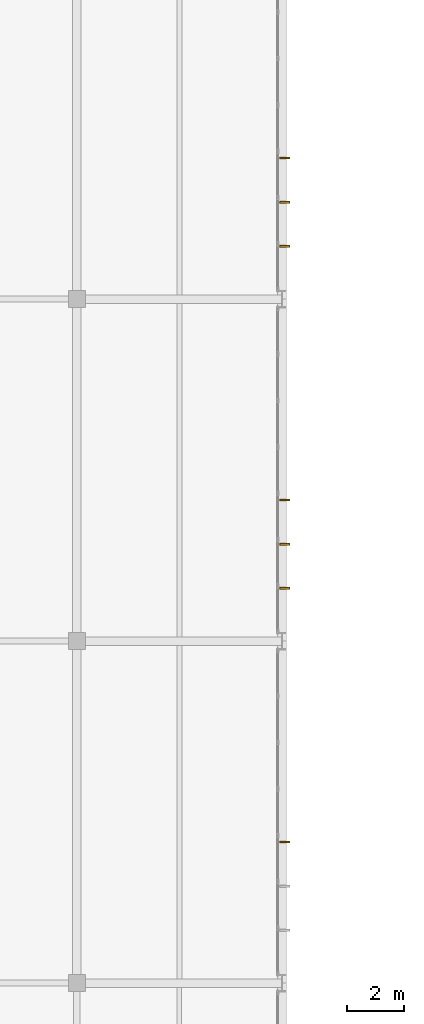
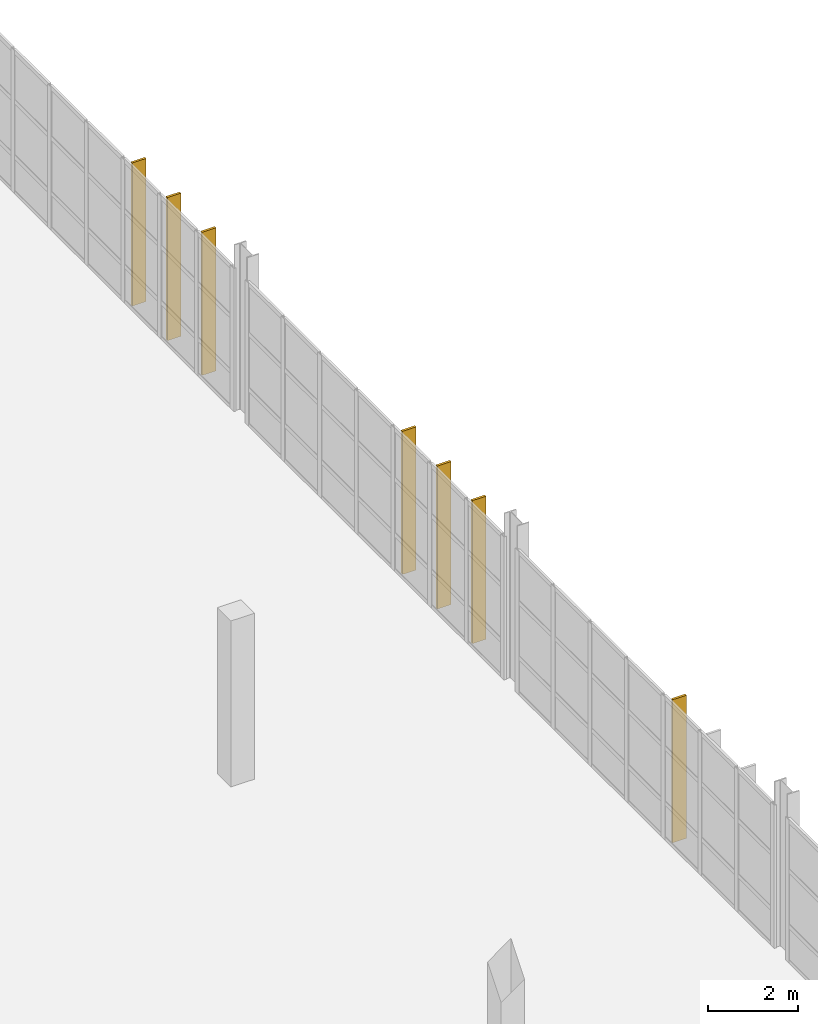
# One storey, part 130 of 130: 7 shading devices.
"""IFC4 building model written with IfcOpenShell, lengths in metres."""

from ifc_helpers import new_model, si_unit, direction, frame, origin, origin_2d, place, context, subcontext, project, spatial, rectangle, extrude, material, type_object, element, save


model = new_model("IFC4")

# Units and contexts
model_context = context("Model", 3, precision=1e-05, world=origin(), true_north=direction((0.0, 1.0)))
body_context = subcontext(model_context, "Body", "Model", "MODEL_VIEW")
ifc_project = project(units=[si_unit("LENGTHUNIT", "METRE"), si_unit("AREAUNIT", "SQUARE_METRE"), si_unit("VOLUMEUNIT", "CUBIC_METRE"), si_unit("PLANEANGLEUNIT", "RADIAN"), si_unit("MASSUNIT", "GRAM", prefix="KILO")], contexts=[model_context])

# Site, building, storey
site_placement = place(None, origin())
site = spatial("IfcSite", under=ifc_project, at=site_placement, CompositionType="ELEMENT")
building_placement = place(site_placement, origin())
building = spatial("IfcBuilding", under=site, at=building_placement, Name="Veltarok Museum of Natural Sciences", CompositionType="ELEMENT")
storey_placement = place(building_placement, frame((0.0, 0.0, 12.89990234375)))
storey = spatial("IfcBuildingStorey", under=building, at=storey_placement, Name="L02", CompositionType="ELEMENT", Elevation=12.89990234375)

# Shading devices
ifc_material = material(Name="Thermally broken anodised aluminium", Category="aluminium")
shading_device_type = type_object("IfcShadingDeviceType", Name="Vertical Anodised Aluminium Solar Shading Fin 350", PredefinedType="JALOUSIE", material=ifc_material)
for number, where, z_axis, x_axis, name in (
    (1, (164.889892578125, 40.949951171875, 0.000244140625), (0.0, 0.0, 1.0), (1.0, 0.0, 0.0), "Solar Shading Fin L02 45"),
    (2, (164.889892578125, 49.85009765625, 0.000244140625), (0.0, 0.0, 1.0), (1.0, 0.0, 0.0), "Solar Shading Fin L02 46"),
    (3, (164.889892578125, 51.39990234375, 0.000244140625), (0.0, 0.0, 1.0), (1.0, 0.0, 0.0), "Solar Shading Fin L02 47"),
    (4, (164.889892578125, 52.949951171875, 0.000244140625), (0.0, 0.0, 1.0), (1.0, 0.0, 0.0), "Solar Shading Fin L02 48"),
    (5, (164.889892578125, 61.85009765625, 0.000244140625), (0.0, 0.0, 1.0), (1.0, 0.0, 0.0), "Solar Shading Fin L02 49"),
    (6, (164.889892578125, 63.39990234375, 0.000244140625), (0.0, 0.0, 1.0), (1.0, 0.0, 0.0), "Solar Shading Fin L02 50"),
    (7, (164.889892578125, 64.949951171875, 0.000244140625), (0.0, 0.0, 1.0), (1.0, 0.0, 0.0), "Solar Shading Fin L02 51"),
):
    element("IfcShadingDevice", number, at=place(storey_placement, frame(where, z_axis=z_axis, x_axis=x_axis)), inside=storey, type_object=shading_device_type, Name=name, PredefinedType="JALOUSIE", context=body_context, shape_type="SweptSolid", body=[
        extrude(rectangle(XDim=0.35009765625, YDim=0.06005859375, at=origin_2d()), origin(), (0.0, 0.0, 1.0), 3.8798828125),
    ])

save(model, "model.ifc")
